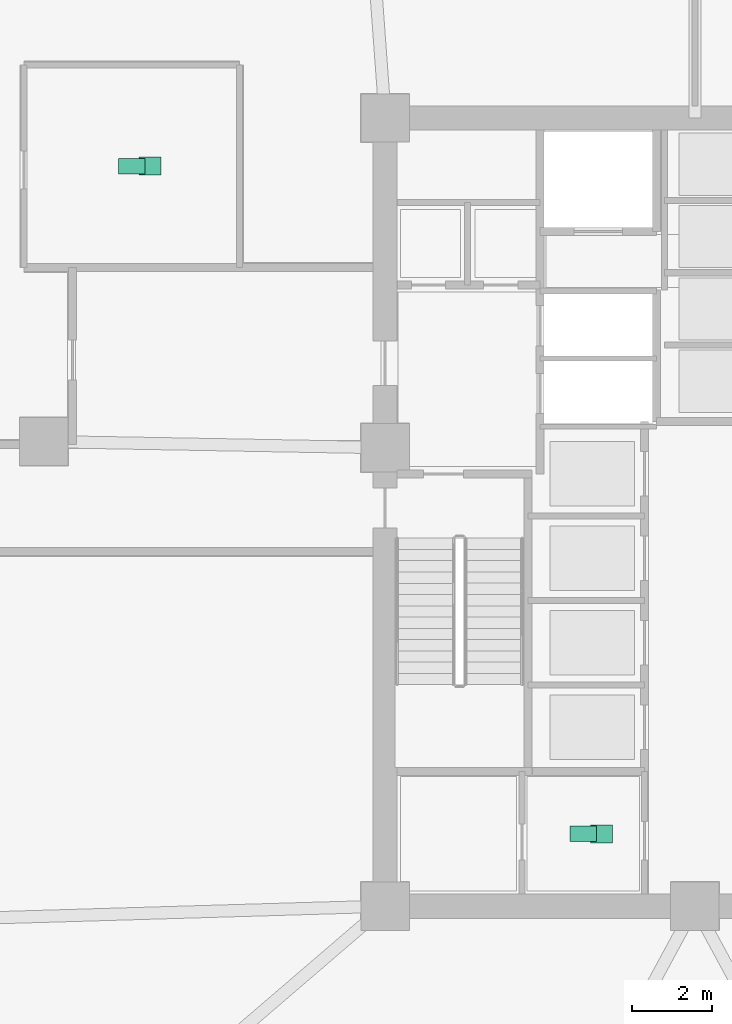
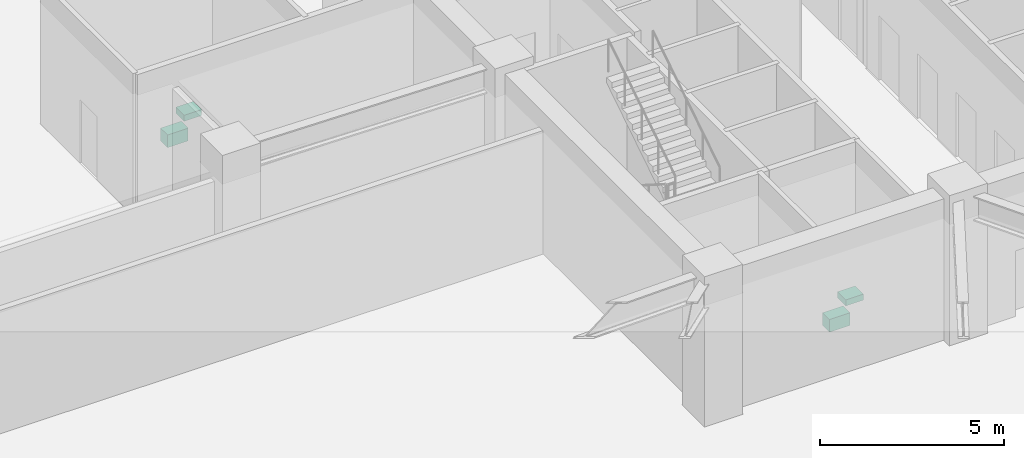
# One storey, part 21 of 22: 4 sanitary terminals.
"""IFC4 building model written with IfcOpenShell, lengths in metres."""

from ifc_helpers import new_model, si_unit, direction, frame, origin, origin_2d, place, context, subcontext, project, spatial, rectangle, extrude, material, type_object, element, save


model = new_model("IFC4")

# Units and contexts
model_context = context("Model", 3, precision=1e-05, world=origin(), true_north=direction((0.0, 1.0)))
body_context = subcontext(model_context, "Body", "Model", "MODEL_VIEW")
ifc_project = project(units=[si_unit("LENGTHUNIT", "METRE"), si_unit("AREAUNIT", "SQUARE_METRE"), si_unit("VOLUMEUNIT", "CUBIC_METRE"), si_unit("PLANEANGLEUNIT", "RADIAN"), si_unit("MASSUNIT", "GRAM", prefix="KILO")], contexts=[model_context])

# Site, building, storey
site_placement = place(None, origin())
site = spatial("IfcSite", under=ifc_project, at=site_placement, CompositionType="ELEMENT")
building_placement = place(site_placement, origin())
building = spatial("IfcBuilding", under=site, at=building_placement, Name="Savorim Split Tower", CompositionType="ELEMENT")
storey_placement = place(building_placement, origin())
storey = spatial("IfcBuildingStorey", under=building, at=storey_placement, Name="L00", CompositionType="ELEMENT", Elevation=0.0)

# Sanitary terminals
ifc_material = material(Name="Vitreous China Sanitaryware")
sanitary_terminal_type_1 = type_object("IfcSanitaryTerminalType", Name="SAN-WC-PAN", PredefinedType="TOILETPAN", material=ifc_material)
for number, where, z_axis, x_axis, name in (
    (1, (-2.77490234375, -7.60009765625, 0.0), (0.0, 0.0, 1.0), (1.0, 0.0, 0.0), "L00 Accessible WC WC Pan"),
    (2, (-14.0, 9.0, 0.0), (0.0, 0.0, 1.0), (1.0, 0.0, 0.0), "L00 Public WC WC Pan"),
):
    element("IfcSanitaryTerminal", number, at=place(storey_placement, frame(where, z_axis=z_axis, x_axis=x_axis)), inside=storey, type_object=sanitary_terminal_type_1, Name=name, PredefinedType="TOILETPAN", context=body_context, shape_type="SweptSolid", body=[
        extrude(rectangle(XDim=0.64990234375, YDim=0.3798828125, at=origin_2d()), origin(), (0.0, 0.0, 1.0), 0.419921875),
    ])
sanitary_terminal_type_2 = type_object("IfcSanitaryTerminalType", Name="SAN-WHB-550", PredefinedType="WASHHANDBASIN", material=ifc_material)
for number, where, z_axis, x_axis, name in (
    (3, (-2.324951171875, -7.60009765625, 0.72021484375), (0.0, 0.0, 1.0), (1.0, 0.0, 0.0), "L00 Accessible WC Washhand Basin"),
    (4, (-13.550048828125, 9.0, 0.72021484375), (0.0, 0.0, 1.0), (1.0, 0.0, 0.0), "L00 Public WC Washhand Basin"),
):
    element("IfcSanitaryTerminal", number, at=place(storey_placement, frame(where, z_axis=z_axis, x_axis=x_axis)), inside=storey, type_object=sanitary_terminal_type_2, Name=name, PredefinedType="WASHHANDBASIN", context=body_context, shape_type="SweptSolid", body=[
        extrude(rectangle(XDim=0.550048828125, YDim=0.449951171875, at=origin_2d()), origin(), (0.0, 0.0, 1.0), 0.199951171875),
    ])

save(model, "model.ifc")
